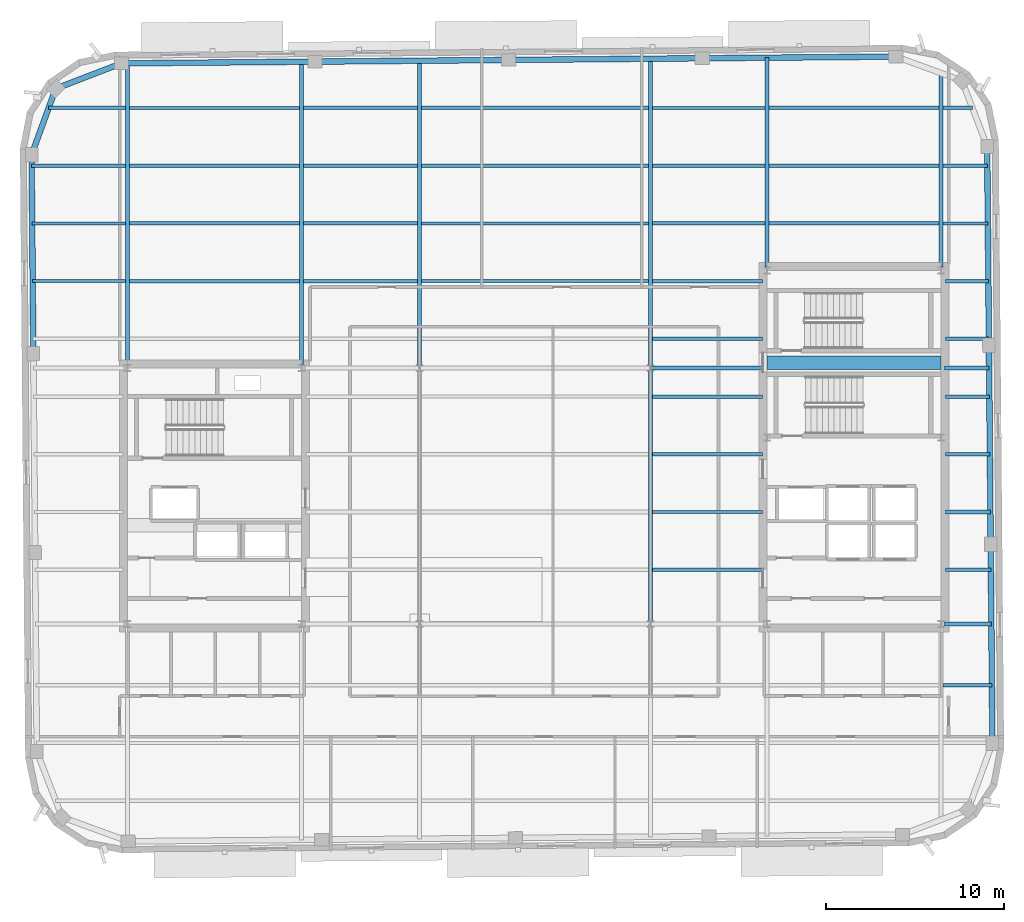
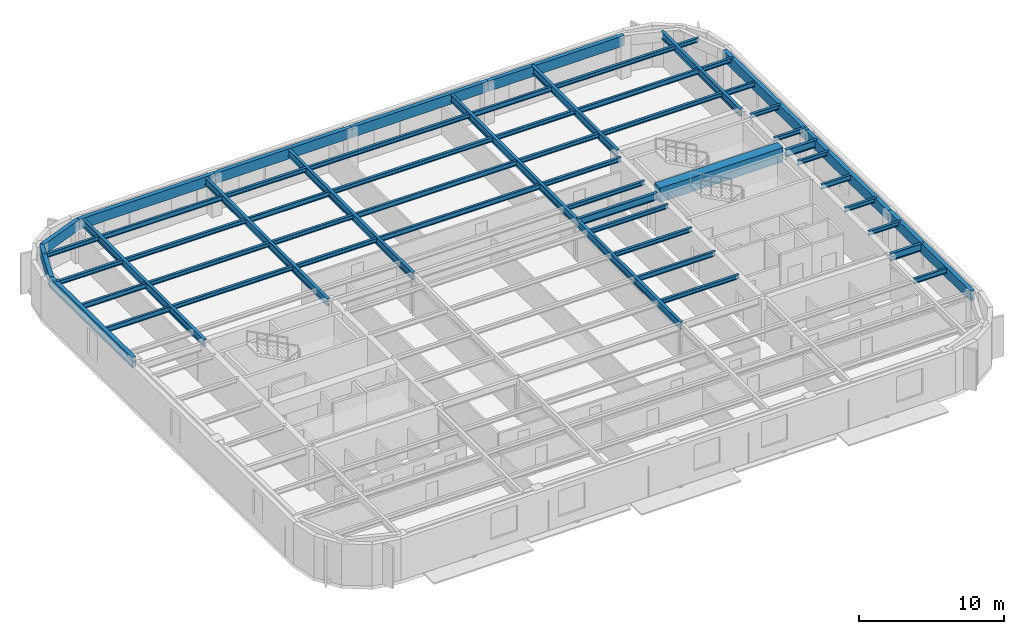
# One storey, part 5 of 15: 59 beams.
"""IFC4 building model written with IfcOpenShell, lengths in metres."""

import ifcopenshell
import ifcopenshell.guid

model = None  # the IFC model being written
_history = None  # IfcOwnerHistory: only IFC2X3 demands one
_inside = {}  # id of a spatial element -> (the spatial element, [elements in it])
_under = {}  # id of a project, library or spatial element -> (it, [spatial elements below it])
_declared = {}  # id of a project -> (the project, [libraries it declares])
_typed = {}  # id of a type object -> (the type object, [elements of that type])
_made_of = {}  # id of a material, layer set ... -> (it, [elements and type objects made of it])


def new_model(schema):
    """Start an empty IFC model of exactly this schema.

    Asked for "IFC4X3", IfcOpenShell would pick the latest addendum, in which some entities
    have other attributes; the version numbers below select the first issue.
    IFC2X3 requires an IfcOwnerHistory on every rooted entity: one is made here for all.
    """
    global model, _history
    if schema == "IFC4X3":
        model = ifcopenshell.file(schema_version=(4, 3, 0, 0))
    else:
        model = ifcopenshell.file(schema=schema)
    _inside.clear()
    _under.clear()
    _declared.clear()
    _typed.clear()
    _made_of.clear()
    _history = None
    if model.schema == "IFC2X3":
        org = make("IfcOrganization", Name="unknown")
        user = make(
            "IfcPersonAndOrganization",
            ThePerson=make("IfcPerson", FamilyName="unknown"),
            TheOrganization=org,
        )
        app = make(
            "IfcApplication",
            ApplicationDeveloper=org,
            Version="unknown",
            ApplicationFullName="unknown",
            ApplicationIdentifier="unknown",
        )
        _history = make(
            "IfcOwnerHistory",
            OwningUser=user,
            OwningApplication=app,
            ChangeAction="ADDED",
            CreationDate=0,
        )
    return model


def make(cls, **values):
    """One entity of the class cls with the attributes given. An attribute that is None is left unset."""
    return model.create_entity(
        cls, **{name: value for name, value in values.items() if value is not None}
    )


def rooted(cls, **values):
    """An entity with a GlobalId (a new one), such as an element, a storey or a relation."""
    return make(cls, GlobalId=ifcopenshell.guid.new(), OwnerHistory=_history, **values)


def si_unit(unit_type, name, prefix=None):
    """IfcSIUnit, for example si_unit("LENGTHUNIT", "METRE", prefix="MILLI")."""
    return make("IfcSIUnit", UnitType=unit_type, Prefix=prefix, Name=name)


def assignment(units):
    """IfcUnitAssignment: the units of a project."""
    return None if units is None else make("IfcUnitAssignment", Units=units)


def point(xyz):
    """IfcCartesianPoint."""
    return None if xyz is None else make("IfcCartesianPoint", Coordinates=xyz)


def direction(xyz):
    """IfcDirection."""
    return None if xyz is None else make("IfcDirection", DirectionRatios=xyz)


def frame(location, z_axis=None, x_axis=None):
    """IfcAxis2Placement3D, a coordinate frame: its origin and axes. An axis left out is left unset."""
    return make(
        "IfcAxis2Placement3D",
        Location=point(location),
        Axis=direction(z_axis),
        RefDirection=direction(x_axis),
    )


def frame_2d(location, x_axis=None):
    """IfcAxis2Placement2D, a coordinate frame in the plane: its origin and x axis."""
    return make(
        "IfcAxis2Placement2D", Location=point(location), RefDirection=direction(x_axis)
    )


def origin():
    """The frame at (0, 0, 0) with its axes left unset."""
    return frame((0.0, 0.0, 0.0))


def origin_2d():
    """The frame at (0, 0) in the plane with its x axis left unset."""
    return frame_2d((0.0, 0.0))


def place(relative_to, where):
    """IfcLocalPlacement: puts the frame where relative to a parent placement (None: the world)."""
    return make(
        "IfcLocalPlacement", PlacementRelTo=relative_to, RelativePlacement=where
    )


def context(
    kind, dimensions, precision=None, world=None, true_north=None, identifier=None
):
    """IfcGeometricRepresentationContext, for example the 3D "Model" context."""
    return make(
        "IfcGeometricRepresentationContext",
        ContextIdentifier=identifier,
        ContextType=kind,
        CoordinateSpaceDimension=dimensions,
        Precision=precision,
        WorldCoordinateSystem=world,
        TrueNorth=true_north,
    )


def subcontext(parent, identifier, kind, view, scale=None):
    """IfcGeometricRepresentationSubContext, for example "Body" below "Model"."""
    return make(
        "IfcGeometricRepresentationSubContext",
        ContextIdentifier=identifier,
        ContextType=kind,
        ParentContext=parent,
        TargetScale=scale,
        TargetView=view,
    )


def project(units=None, contexts=None):
    """IfcProject with its units and contexts."""
    return rooted(
        "IfcProject",
        Name="project",
        RepresentationContexts=contexts,
        UnitsInContext=assignment(units),
    )


def spatial(cls, under=None, at=None, **own):
    """A site, building, storey or space (cls), placed at a placement, below another one or the project."""
    s = rooted(cls, ObjectPlacement=at, **own)
    if under is not None:
        _under.setdefault(under.id(), (under, []))[1].append(s)
    return s


def profile(cls, at=None, kind="AREA", **sizes):
    """A parametric profile (cls). Its sizes go by their IFC names, for example OverallWidth=200.0."""
    return make(cls, ProfileType=kind, Position=at, **sizes)


def rectangle(**sizes):
    """IfcRectangleProfileDef."""
    return profile("IfcRectangleProfileDef", **sizes)


def hollow_rectangle(**sizes):
    """IfcRectangleHollowProfileDef."""
    return profile("IfcRectangleHollowProfileDef", **sizes)


def i_section(**sizes):
    """IfcIShapeProfileDef."""
    return profile("IfcIShapeProfileDef", **sizes)


def extrude(swept, where, along, depth):
    """IfcExtrudedAreaSolid: the profile swept, set in the frame where, extruded along a direction by depth."""
    return make(
        "IfcExtrudedAreaSolid",
        SweptArea=swept,
        Position=where,
        ExtrudedDirection=direction(along),
        Depth=depth,
    )


def shape(context_of_items, identifier, shape_type, items):
    """IfcShapeRepresentation: the items that make up one representation, for example the "Body"."""
    return make(
        "IfcShapeRepresentation",
        ContextOfItems=context_of_items,
        RepresentationIdentifier=identifier,
        RepresentationType=shape_type,
        Items=items,
    )


def material(Name=None, Category=None):
    """IfcMaterial."""
    return make("IfcMaterial", Name=Name, Category=Category)


def material_profile(
    of_material, cross_section, Name=None, Category=None, Priority=None
):
    """IfcMaterialProfile: a cross section and its material."""
    return make(
        "IfcMaterialProfile",
        Name=Name,
        Material=of_material,
        Profile=cross_section,
        Priority=Priority,
        Category=Category,
    )


def profile_set(profiles, Name=None, composite=None):
    """IfcMaterialProfileSet."""
    return make(
        "IfcMaterialProfileSet",
        Name=Name,
        MaterialProfiles=profiles,
        CompositeProfile=composite,
    )


def made_of(thing, what):
    """Note that an element or type object is made of a material, layer set ...; save() writes the relation."""
    if what is not None:
        _made_of.setdefault(what.id(), (what, []))[1].append(thing)
    return thing


def type_object(cls, material=None, **own):
    """A type object (cls), such as IfcWallType, which elements share."""
    return made_of(rooted(cls, **own), material)


def element(
    cls,
    number,
    at=None,
    inside=None,
    cuts=None,
    type_object=None,
    material=None,
    context=None,
    identifier="Body",
    shape_type=None,
    held_by="IfcProductDefinitionShape",
    body=None,
    shapes=None,
    **own,
):
    """One element of the class cls, such as IfcWall. Its Tag is "e" and its number.

    at: its placement. inside: the storey or other place that contains it. cuts: it is an
    opening in that element (IfcRelVoidsElement). A single representation is given by context,
    identifier, shape_type and body (its items); several are given by shapes. held_by: the class
    of the entity that holds the representations. save() writes the other relations.
    """
    e = rooted(cls, Tag="e%d" % number, ObjectPlacement=at, **own)
    if body is not None:
        shapes = [shape(context, identifier, shape_type, body)]
    if shapes is not None:
        e.Representation = make(held_by, Representations=shapes)
    if inside is not None:
        _inside.setdefault(inside.id(), (inside, []))[1].append(e)
    if cuts is not None:
        rooted(
            "IfcRelVoidsElement", RelatingBuildingElement=cuts, RelatedOpeningElement=e
        )
    if type_object is not None:
        _typed.setdefault(type_object.id(), (type_object, []))[1].append(e)
    return made_of(e, material)


def aggregate(whole, parts):
    """IfcRelAggregates: a whole, such as a stair, and the parts it consists of."""
    return rooted("IfcRelAggregates", RelatingObject=whole, RelatedObjects=parts)


def save(model, path):
    """Write the relations noted so far, then the file.

    IfcRelAggregates (storeys below a building ...), IfcRelContainedInSpatialStructure (elements
    in a storey), IfcRelDefinesByType, IfcRelAssociatesMaterial and IfcRelDeclares: one each for
    every whole, place, type object, material and project.
    """
    for whole, parts in _under.values():
        aggregate(whole, parts)
    for where, things in _inside.values():
        rooted(
            "IfcRelContainedInSpatialStructure",
            RelatedElements=things,
            RelatingStructure=where,
        )
    for kind, things in _typed.values():
        rooted("IfcRelDefinesByType", RelatedObjects=things, RelatingType=kind)
    for what, things in _made_of.values():
        rooted("IfcRelAssociatesMaterial", RelatedObjects=things, RelatingMaterial=what)
    for by, libraries in _declared.values():
        rooted("IfcRelDeclares", RelatingContext=by, RelatedDefinitions=libraries)
    model.write(path)


model = new_model("IFC4")

# Units and contexts
model_context = context("Model", 3, precision=1e-05, world=origin(), true_north=direction((0.0, 1.0)))
body_context = subcontext(model_context, "Body", "Model", "MODEL_VIEW")
ifc_project = project(units=[si_unit("LENGTHUNIT", "METRE"), si_unit("AREAUNIT", "SQUARE_METRE"), si_unit("VOLUMEUNIT", "CUBIC_METRE"), si_unit("PLANEANGLEUNIT", "RADIAN"), si_unit("MASSUNIT", "GRAM", prefix="KILO")], contexts=[model_context])

# Site, building, storey
site_placement = place(None, origin())
site = spatial("IfcSite", under=ifc_project, at=site_placement, CompositionType="ELEMENT")
building_placement = place(site_placement, origin())
building = spatial("IfcBuilding", under=site, at=building_placement, Name="Kolvaren Arena Tower", CompositionType="ELEMENT")
storey_placement = place(building_placement, frame((0.0, 0.0, 293.64990234375)))
storey = spatial("IfcBuildingStorey", under=building, at=storey_placement, Name="L72", CompositionType="ELEMENT", Elevation=293.64990234375)

# Beams
ifc_material_1 = material(Name="Steel CSA G40.21 350W", Category="steel")
ifc_material_profile_1 = material_profile(ifc_material_1, i_section(OverallWidth=0.180908203125, OverallDepth=0.4169921875, WebThickness=0.010986328125, FlangeThickness=0.018310546875, FilletRadius=0.011962890625, at=origin_2d()), Name="W410x85")
ifc_profile_set_1 = profile_set([ifc_material_profile_1], Name="Steel CSA G40.21 350W")
beam_type_1 = type_object("IfcBeamType", Name="BEAM-F3", PredefinedType="BEAM", material=ifc_profile_set_1)
beam_1_placement = place(storey_placement, frame((60.464111328125, 16.0, 3.271484375), z_axis=(1.0, 0.0, 0.0), x_axis=(0.0, 1.0, 0.0)))
element("IfcBeam", 1, at=beam_1_placement, inside=storey, type_object=beam_type_1, Name="Composite Floor Beam (L72)", PredefinedType="BEAM", context=body_context, shape_type="SweptSolid", body=[
    extrude(i_section(OverallWidth=0.180908203125, OverallDepth=0.4169921875, WebThickness=0.010986328125, FlangeThickness=0.018310546875, FilletRadius=0.011962890625, at=origin_2d()), origin(), (0.0, 0.0, 1.0), 2.7529296875),
])
beam_2_placement = place(storey_placement, frame((44.114013671875, 25.75, 3.271484375), z_axis=(1.0, 0.0, 0.0), x_axis=(0.0, 1.0, 0.0)))
element("IfcBeam", 2, at=beam_2_placement, inside=storey, type_object=beam_type_1, Name="Composite Floor Beam (L72)", PredefinedType="BEAM", context=body_context, shape_type="SweptSolid", body=[
    extrude(i_section(OverallWidth=0.180908203125, OverallDepth=0.4169921875, WebThickness=0.010986328125, FlangeThickness=0.018310546875, FilletRadius=0.011962890625, at=origin_2d()), origin(), (0.0, 0.0, 1.0), 6.19091796875),
])
beam_3_placement = place(storey_placement, frame((60.594970703125, 29.0, 3.271484375), z_axis=(1.0, 0.0, 0.0), x_axis=(0.0, 1.0, 0.0)))
element("IfcBeam", 3, at=beam_3_placement, inside=storey, type_object=beam_type_1, Name="Composite Floor Beam (L72)", PredefinedType="BEAM", context=body_context, shape_type="SweptSolid", body=[
    extrude(i_section(OverallWidth=0.180908203125, OverallDepth=0.4169921875, WebThickness=0.010986328125, FlangeThickness=0.018310546875, FilletRadius=0.011962890625, at=origin_2d()), origin(), (0.0, 0.0, 1.0), 2.508544921875),
])
beam_4_placement = place(storey_placement, frame((9.216552734375, 38.75, 3.271484375), z_axis=(1.0, 0.0, 0.0), x_axis=(0.0, 1.0, 0.0)))
element("IfcBeam", 4, at=beam_4_placement, inside=storey, type_object=beam_type_1, Name="Composite Floor Beam (L72)", PredefinedType="BEAM", context=body_context, shape_type="SweptSolid", body=[
    extrude(i_section(OverallWidth=0.180908203125, OverallDepth=0.4169921875, WebThickness=0.010986328125, FlangeThickness=0.018310546875, FilletRadius=0.011962890625, at=origin_2d()), origin(), (0.0, 0.0, 1.0), 5.219482421875),
])
beam_5_placement = place(storey_placement, frame((31.114013671875, 38.75, 3.271484375), z_axis=(1.0, 0.0, 0.0), x_axis=(0.0, 1.0, 0.0)))
element("IfcBeam", 5, at=beam_5_placement, inside=storey, type_object=beam_type_1, Name="Composite Floor Beam (L72)", PredefinedType="BEAM", context=body_context, shape_type="SweptSolid", body=[
    extrude(i_section(OverallWidth=0.180908203125, OverallDepth=0.4169921875, WebThickness=0.010986328125, FlangeThickness=0.018310546875, FilletRadius=0.011962890625, at=origin_2d()), origin(), (0.0, 0.0, 1.0), 12.77197265625),
])
beam_6_placement = place(storey_placement, frame((9.18798828125, 42.0, 3.271484375), z_axis=(1.0, 0.0, 0.0), x_axis=(0.0, 1.0, 0.0)))
element("IfcBeam", 6, at=beam_6_placement, inside=storey, type_object=beam_type_1, Name="Composite Floor Beam (L72)", PredefinedType="BEAM", context=body_context, shape_type="SweptSolid", body=[
    extrude(i_section(OverallWidth=0.180908203125, OverallDepth=0.4169921875, WebThickness=0.010986328125, FlangeThickness=0.018310546875, FilletRadius=0.011962890625, at=origin_2d()), origin(), (0.0, 0.0, 1.0), 5.248046875),
])
beam_7_placement = place(storey_placement, frame((31.114013671875, 42.0, 3.271484375), z_axis=(1.0, 0.0, 0.0), x_axis=(0.0, 1.0, 0.0)))
element("IfcBeam", 7, at=beam_7_placement, inside=storey, type_object=beam_type_1, Name="Composite Floor Beam (L72)", PredefinedType="BEAM", context=body_context, shape_type="SweptSolid", body=[
    extrude(i_section(OverallWidth=0.180908203125, OverallDepth=0.4169921875, WebThickness=0.010986328125, FlangeThickness=0.018310546875, FilletRadius=0.011962890625, at=origin_2d()), origin(), (0.0, 0.0, 1.0), 12.77197265625),
])
beam_8_placement = place(storey_placement, frame((60.464111328125, 42.0, 3.271484375), z_axis=(1.0, 0.0, 0.0), x_axis=(0.0, 1.0, 0.0)))
element("IfcBeam", 8, at=beam_8_placement, inside=storey, type_object=beam_type_1, Name="Composite Floor Beam (L72)", PredefinedType="BEAM", context=body_context, shape_type="SweptSolid", body=[
    extrude(i_section(OverallWidth=0.180908203125, OverallDepth=0.4169921875, WebThickness=0.010986328125, FlangeThickness=0.018310546875, FilletRadius=0.011962890625, at=origin_2d()), origin(), (0.0, 0.0, 1.0), 2.526123046875),
])
beam_9_placement = place(storey_placement, frame((24.464111328125, 45.25, 3.271484375), z_axis=(1.0, 0.0, 0.0), x_axis=(0.0, 1.0, 0.0)))
element("IfcBeam", 9, at=beam_9_placement, inside=storey, type_object=beam_type_1, Name="Composite Floor Beam (L72)", PredefinedType="BEAM", context=body_context, shape_type="SweptSolid", body=[
    extrude(i_section(OverallWidth=0.180908203125, OverallDepth=0.4169921875, WebThickness=0.010986328125, FlangeThickness=0.018310546875, FilletRadius=0.011962890625, at=origin_2d()), origin(), (0.0, 0.0, 1.0), 6.421875),
])
for number, where, z_axis, x_axis, name in (
    (10, (50.6640625, 45.25, 3.271484375), (1.0, 0.0, 0.0), (0.0, 1.0, 0.0), "Composite Floor Beam (L72)"),
    (11, (14.6640625, 48.5, 3.271484375), (1.0, 0.0, 0.0), (0.0, 1.0, 0.0), "Composite Floor Beam (L72)"),
):
    element("IfcBeam", number, at=place(storey_placement, frame(where, z_axis=z_axis, x_axis=x_axis)), inside=storey, type_object=beam_type_1, Name=name, PredefinedType="BEAM", context=body_context, shape_type="SweptSolid", body=[
        extrude(i_section(OverallWidth=0.180908203125, OverallDepth=0.4169921875, WebThickness=0.010986328125, FlangeThickness=0.018310546875, FilletRadius=0.011962890625, at=origin_2d()), origin(), (0.0, 0.0, 1.0), 9.572021484375),
    ])
beam_10_placement = place(storey_placement, frame((44.114013671875, 48.5, 3.271484375), z_axis=(1.0, 0.0, 0.0), x_axis=(0.0, 1.0, 0.0)))
element("IfcBeam", 12, at=beam_10_placement, inside=storey, type_object=beam_type_1, Name="Composite Floor Beam (L72)", PredefinedType="BEAM", context=body_context, shape_type="SweptSolid", body=[
    extrude(i_section(OverallWidth=0.180908203125, OverallDepth=0.4169921875, WebThickness=0.010986328125, FlangeThickness=0.018310546875, FilletRadius=0.011962890625, at=origin_2d()), origin(), (0.0, 0.0, 1.0), 6.322021484375),
])
ifc_material_2 = material(Name="Concrete 60 MPa", Category="concrete")
ifc_material_profile_2 = material_profile(ifc_material_2, rectangle(XDim=0.75, YDim=1.199951171875, at=origin_2d()), Name="RC-750x1200")
ifc_profile_set_2 = profile_set([ifc_material_profile_2], Name="Concrete 60 MPa")
beam_type_2 = type_object("IfcBeamType", Name="CB-CORE-2", PredefinedType="BEAM", material=ifc_profile_set_2)
beam_11_placement = place(storey_placement, frame((50.550048828125, 34.14990234375, 3.150146484375), z_axis=(1.0, 0.0, 0.0), x_axis=(0.0, 1.0, 0.0)))
element("IfcBeam", 13, at=beam_11_placement, inside=storey, type_object=beam_type_2, Name="East Core Coupling Beam (L72)", PredefinedType="BEAM", context=body_context, shape_type="SweptSolid", body=[
    extrude(rectangle(XDim=0.75, YDim=1.199951171875, at=origin_2d()), origin(), (0.0, 0.0, 1.0), 9.800048828125),
])
ifc_material_profile_3 = material_profile(ifc_material_1, i_section(OverallWidth=0.22802734375, OverallDepth=0.615966796875, WebThickness=0.013916015625, FlangeThickness=0.02490234375, FilletRadius=0.014892578125, at=origin_2d()), Name="W610x174")
ifc_profile_set_3 = profile_set([ifc_material_profile_3], Name="Steel CSA G40.21 350W")
beam_type_3 = type_object("IfcBeamType", Name="GIRD-T3", PredefinedType="BEAM", material=ifc_profile_set_3)
beam_12_placement = place(storey_placement, frame((60.554931640625, 19.449951171875, 3.172119140625), z_axis=(1.0, 0.0, 0.0), x_axis=(0.0, 1.0, 0.0)))
element("IfcBeam", 14, at=beam_12_placement, inside=storey, type_object=beam_type_3, Name="Primary Floor Girder (L72)", PredefinedType="BEAM", context=body_context, shape_type="SweptSolid", body=[
    extrude(i_section(OverallWidth=0.22802734375, OverallDepth=0.615966796875, WebThickness=0.013916015625, FlangeThickness=0.02490234375, FilletRadius=0.014892578125, at=origin_2d()), origin(), (0.0, 0.0, 1.0), 2.632080078125),
])
beam_13_placement = place(storey_placement, frame((44.0, 33.85009765625, 3.172119140625), z_axis=(1.0, 0.0, 0.0), x_axis=(0.0, 1.0, 0.0)))
element("IfcBeam", 15, at=beam_13_placement, inside=storey, type_object=beam_type_3, Name="Primary Floor Girder (L72)", PredefinedType="BEAM", context=body_context, shape_type="SweptSolid", body=[
    extrude(i_section(OverallWidth=0.22802734375, OverallDepth=0.615966796875, WebThickness=0.013916015625, FlangeThickness=0.02490234375, FilletRadius=0.014892578125, at=origin_2d()), origin(), (0.0, 0.0, 1.0), 6.344970703125),
])
beam_14_placement = place(storey_placement, frame((60.554931640625, 33.85009765625, 3.172119140625), z_axis=(1.0, 0.0, 0.0), x_axis=(0.0, 1.0, 0.0)))
element("IfcBeam", 16, at=beam_14_placement, inside=storey, type_object=beam_type_3, Name="Primary Floor Girder (L72)", PredefinedType="BEAM", context=body_context, shape_type="SweptSolid", body=[
    extrude(i_section(OverallWidth=0.22802734375, OverallDepth=0.615966796875, WebThickness=0.013916015625, FlangeThickness=0.02490234375, FilletRadius=0.014892578125, at=origin_2d()), origin(), (0.0, 0.0, 1.0), 2.50634765625),
])
beam_15_placement = place(storey_placement, frame((14.550048828125, 34.054931640625, 3.172119140625), z_axis=(0.0, 1.0, 0.0), x_axis=(-1.0, 0.0, 0.0)))
element("IfcBeam", 17, at=beam_15_placement, inside=storey, type_object=beam_type_3, Name="Primary Floor Girder (L72)", PredefinedType="BEAM", context=body_context, shape_type="SweptSolid", body=[
    extrude(i_section(OverallWidth=0.22802734375, OverallDepth=0.615966796875, WebThickness=0.013916015625, FlangeThickness=0.02490234375, FilletRadius=0.014892578125, at=origin_2d()), origin(), (0.0, 0.0, 1.0), 16.95703125),
])
beam_16_placement = place(storey_placement, frame((24.35009765625, 34.054931640625, 3.172119140625), z_axis=(0.0, 1.0, 0.0), x_axis=(-1.0, 0.0, 0.0)))
element("IfcBeam", 18, at=beam_16_placement, inside=storey, type_object=beam_type_3, Name="Primary Floor Girder (L72)", PredefinedType="BEAM", context=body_context, shape_type="SweptSolid", body=[
    extrude(i_section(OverallWidth=0.22802734375, OverallDepth=0.615966796875, WebThickness=0.013916015625, FlangeThickness=0.02490234375, FilletRadius=0.014892578125, at=origin_2d()), origin(), (0.0, 0.0, 1.0), 17.04248046875),
])
beam_17_placement = place(storey_placement, frame((31.0, 33.85009765625, 3.172119140625), z_axis=(0.0, 1.0, 0.0), x_axis=(-1.0, 0.0, 0.0)))
element("IfcBeam", 19, at=beam_17_placement, inside=storey, type_object=beam_type_3, Name="Primary Floor Girder (L72)", PredefinedType="BEAM", context=body_context, shape_type="SweptSolid", body=[
    extrude(i_section(OverallWidth=0.22802734375, OverallDepth=0.615966796875, WebThickness=0.013916015625, FlangeThickness=0.02490234375, FilletRadius=0.014892578125, at=origin_2d()), origin(), (0.0, 0.0, 1.0), 17.305419921875),
])
beam_18_placement = place(storey_placement, frame((44.0, 19.449951171875, 3.172119140625), z_axis=(0.0, 1.0, 0.0), x_axis=(-1.0, 0.0, 0.0)))
element("IfcBeam", 20, at=beam_18_placement, inside=storey, type_object=beam_type_3, Name="Primary Floor Girder (L72)", PredefinedType="BEAM", context=body_context, shape_type="SweptSolid", body=[
    extrude(i_section(OverallWidth=0.22802734375, OverallDepth=0.615966796875, WebThickness=0.013916015625, FlangeThickness=0.02490234375, FilletRadius=0.014892578125, at=origin_2d()), origin(), (0.0, 0.0, 1.0), 14.400146484375),
])
beam_19_placement = place(storey_placement, frame((44.0, 33.85009765625, 3.172119140625), z_axis=(0.0, 1.0, 0.0), x_axis=(-1.0, 0.0, 0.0)))
element("IfcBeam", 21, at=beam_19_placement, inside=storey, type_object=beam_type_3, Name="Primary Floor Girder (L72)", PredefinedType="BEAM", context=body_context, shape_type="SweptSolid", body=[
    extrude(i_section(OverallWidth=0.22802734375, OverallDepth=0.615966796875, WebThickness=0.013916015625, FlangeThickness=0.02490234375, FilletRadius=0.014892578125, at=origin_2d()), origin(), (0.0, 0.0, 1.0), 17.418701171875),
])
beam_20_placement = place(storey_placement, frame((50.550048828125, 39.554931640625, 3.172119140625), z_axis=(0.0, 1.0, 0.0), x_axis=(-1.0, 0.0, 0.0)))
element("IfcBeam", 22, at=beam_20_placement, inside=storey, type_object=beam_type_3, Name="Primary Floor Girder (L72)", PredefinedType="BEAM", context=body_context, shape_type="SweptSolid", body=[
    extrude(i_section(OverallWidth=0.22802734375, OverallDepth=0.615966796875, WebThickness=0.013916015625, FlangeThickness=0.02490234375, FilletRadius=0.014892578125, at=origin_2d()), origin(), (0.0, 0.0, 1.0), 11.771240234375),
])
beam_21_placement = place(storey_placement, frame((60.35009765625, 39.554931640625, 3.172119140625), z_axis=(0.0, 1.0, 0.0), x_axis=(-1.0, 0.0, 0.0)))
element("IfcBeam", 23, at=beam_21_placement, inside=storey, type_object=beam_type_3, Name="Primary Floor Girder (L72)", PredefinedType="BEAM", context=body_context, shape_type="SweptSolid", body=[
    extrude(i_section(OverallWidth=0.22802734375, OverallDepth=0.615966796875, WebThickness=0.013916015625, FlangeThickness=0.02490234375, FilletRadius=0.014892578125, at=origin_2d()), origin(), (0.0, 0.0, 1.0), 10.90625),
])
ifc_material_profile_4 = material_profile(ifc_material_1, i_section(OverallWidth=0.202880859375, OverallDepth=0.346923828125, WebThickness=0.0078125, FlangeThickness=0.013427734375, FilletRadius=0.010986328125, at=origin_2d()), Name="W360x64")
ifc_profile_set_4 = profile_set([ifc_material_profile_4], Name="Steel CSA G40.21 350W")
beam_type_4 = type_object("IfcBeamType", Name="JOIST-01", PredefinedType="JOIST", material=ifc_profile_set_4)
beam_22_placement = place(storey_placement, frame((44.114013671875, 22.5, 3.306640625), z_axis=(1.0, 0.0, 0.0), x_axis=(0.0, 1.0, 0.0)))
element("IfcBeam", 24, at=beam_22_placement, inside=storey, type_object=beam_type_4, Name="Composite Floor Joist (L72)", PredefinedType="JOIST", context=body_context, shape_type="SweptSolid", body=[
    extrude(i_section(OverallWidth=0.202880859375, OverallDepth=0.346923828125, WebThickness=0.0078125, FlangeThickness=0.013427734375, FilletRadius=0.010986328125, at=origin_2d()), origin(), (0.0, 0.0, 1.0), 6.19091796875),
])
beam_23_placement = place(storey_placement, frame((60.594970703125, 22.5, 3.306640625), z_axis=(1.0, 0.0, 0.0), x_axis=(0.0, 1.0, 0.0)))
element("IfcBeam", 25, at=beam_23_placement, inside=storey, type_object=beam_type_4, Name="Composite Floor Joist (L72)", PredefinedType="JOIST", context=body_context, shape_type="SweptSolid", body=[
    extrude(i_section(OverallWidth=0.202880859375, OverallDepth=0.346923828125, WebThickness=0.0078125, FlangeThickness=0.013427734375, FilletRadius=0.010986328125, at=origin_2d()), origin(), (0.0, 0.0, 1.0), 2.5654296875),
])
beam_24_placement = place(storey_placement, frame((60.594970703125, 25.75, 3.306640625), z_axis=(1.0, 0.0, 0.0), x_axis=(0.0, 1.0, 0.0)))
element("IfcBeam", 26, at=beam_24_placement, inside=storey, type_object=beam_type_4, Name="Composite Floor Joist (L72)", PredefinedType="JOIST", context=body_context, shape_type="SweptSolid", body=[
    extrude(i_section(OverallWidth=0.202880859375, OverallDepth=0.346923828125, WebThickness=0.0078125, FlangeThickness=0.013427734375, FilletRadius=0.010986328125, at=origin_2d()), origin(), (0.0, 0.0, 1.0), 2.537109375),
])
for number, where, z_axis, x_axis, name in (
    (27, (44.114013671875, 29.0, 3.306640625), (1.0, 0.0, 0.0), (0.0, 1.0, 0.0), "Composite Floor Joist (L72)"),
    (28, (44.114013671875, 32.25, 3.306640625), (1.0, 0.0, 0.0), (0.0, 1.0, 0.0), "Composite Floor Joist (L72)"),
):
    element("IfcBeam", number, at=place(storey_placement, frame(where, z_axis=z_axis, x_axis=x_axis)), inside=storey, type_object=beam_type_4, Name=name, PredefinedType="JOIST", context=body_context, shape_type="SweptSolid", body=[
        extrude(i_section(OverallWidth=0.202880859375, OverallDepth=0.346923828125, WebThickness=0.0078125, FlangeThickness=0.013427734375, FilletRadius=0.010986328125, at=origin_2d()), origin(), (0.0, 0.0, 1.0), 6.19091796875),
    ])
beam_25_placement = place(storey_placement, frame((60.594970703125, 32.25, 3.306640625), z_axis=(1.0, 0.0, 0.0), x_axis=(0.0, 1.0, 0.0)))
element("IfcBeam", 29, at=beam_25_placement, inside=storey, type_object=beam_type_4, Name="Composite Floor Joist (L72)", PredefinedType="JOIST", context=body_context, shape_type="SweptSolid", body=[
    extrude(i_section(OverallWidth=0.202880859375, OverallDepth=0.346923828125, WebThickness=0.0078125, FlangeThickness=0.013427734375, FilletRadius=0.010986328125, at=origin_2d()), origin(), (0.0, 0.0, 1.0), 2.480224609375),
])
beam_26_placement = place(storey_placement, frame((44.114013671875, 35.5, 3.306640625), z_axis=(1.0, 0.0, 0.0), x_axis=(0.0, 1.0, 0.0)))
element("IfcBeam", 30, at=beam_26_placement, inside=storey, type_object=beam_type_4, Name="Composite Floor Joist (L72)", PredefinedType="JOIST", context=body_context, shape_type="SweptSolid", body=[
    extrude(i_section(OverallWidth=0.202880859375, OverallDepth=0.346923828125, WebThickness=0.0078125, FlangeThickness=0.013427734375, FilletRadius=0.010986328125, at=origin_2d()), origin(), (0.0, 0.0, 1.0), 6.19091796875),
])
beam_27_placement = place(storey_placement, frame((60.594970703125, 35.5, 3.306640625), z_axis=(1.0, 0.0, 0.0), x_axis=(0.0, 1.0, 0.0)))
element("IfcBeam", 31, at=beam_27_placement, inside=storey, type_object=beam_type_4, Name="Composite Floor Joist (L72)", PredefinedType="JOIST", context=body_context, shape_type="SweptSolid", body=[
    extrude(i_section(OverallWidth=0.202880859375, OverallDepth=0.346923828125, WebThickness=0.0078125, FlangeThickness=0.013427734375, FilletRadius=0.010986328125, at=origin_2d()), origin(), (0.0, 0.0, 1.0), 2.451904296875),
])
beam_28_placement = place(storey_placement, frame((14.6640625, 38.75, 3.306640625), z_axis=(1.0, 0.0, 0.0), x_axis=(0.0, 1.0, 0.0)))
element("IfcBeam", 32, at=beam_28_placement, inside=storey, type_object=beam_type_4, Name="Composite Floor Joist (L72)", PredefinedType="JOIST", context=body_context, shape_type="SweptSolid", body=[
    extrude(i_section(OverallWidth=0.202880859375, OverallDepth=0.346923828125, WebThickness=0.0078125, FlangeThickness=0.013427734375, FilletRadius=0.010986328125, at=origin_2d()), origin(), (0.0, 0.0, 1.0), 9.572021484375),
])
beam_29_placement = place(storey_placement, frame((24.464111328125, 38.75, 3.306640625), z_axis=(1.0, 0.0, 0.0), x_axis=(0.0, 1.0, 0.0)))
element("IfcBeam", 33, at=beam_29_placement, inside=storey, type_object=beam_type_4, Name="Composite Floor Joist (L72)", PredefinedType="JOIST", context=body_context, shape_type="SweptSolid", body=[
    extrude(i_section(OverallWidth=0.202880859375, OverallDepth=0.346923828125, WebThickness=0.0078125, FlangeThickness=0.013427734375, FilletRadius=0.010986328125, at=origin_2d()), origin(), (0.0, 0.0, 1.0), 6.421875),
])
beam_30_placement = place(storey_placement, frame((44.114013671875, 38.75, 3.306640625), z_axis=(1.0, 0.0, 0.0), x_axis=(0.0, 1.0, 0.0)))
element("IfcBeam", 34, at=beam_30_placement, inside=storey, type_object=beam_type_4, Name="Composite Floor Joist (L72)", PredefinedType="JOIST", context=body_context, shape_type="SweptSolid", body=[
    extrude(i_section(OverallWidth=0.202880859375, OverallDepth=0.346923828125, WebThickness=0.0078125, FlangeThickness=0.013427734375, FilletRadius=0.010986328125, at=origin_2d()), origin(), (0.0, 0.0, 1.0), 6.19091796875),
])
beam_31_placement = place(storey_placement, frame((60.594970703125, 38.75, 3.306640625), z_axis=(1.0, 0.0, 0.0), x_axis=(0.0, 1.0, 0.0)))
element("IfcBeam", 35, at=beam_31_placement, inside=storey, type_object=beam_type_4, Name="Composite Floor Joist (L72)", PredefinedType="JOIST", context=body_context, shape_type="SweptSolid", body=[
    extrude(i_section(OverallWidth=0.202880859375, OverallDepth=0.346923828125, WebThickness=0.0078125, FlangeThickness=0.013427734375, FilletRadius=0.010986328125, at=origin_2d()), origin(), (0.0, 0.0, 1.0), 2.423583984375),
])
beam_32_placement = place(storey_placement, frame((14.6640625, 42.0, 3.306640625), z_axis=(1.0, 0.0, 0.0), x_axis=(0.0, 1.0, 0.0)))
element("IfcBeam", 36, at=beam_32_placement, inside=storey, type_object=beam_type_4, Name="Composite Floor Joist (L72)", PredefinedType="JOIST", context=body_context, shape_type="SweptSolid", body=[
    extrude(i_section(OverallWidth=0.202880859375, OverallDepth=0.346923828125, WebThickness=0.0078125, FlangeThickness=0.013427734375, FilletRadius=0.010986328125, at=origin_2d()), origin(), (0.0, 0.0, 1.0), 9.572021484375),
])
beam_33_placement = place(storey_placement, frame((24.464111328125, 42.0, 3.306640625), z_axis=(1.0, 0.0, 0.0), x_axis=(0.0, 1.0, 0.0)))
element("IfcBeam", 37, at=beam_33_placement, inside=storey, type_object=beam_type_4, Name="Composite Floor Joist (L72)", PredefinedType="JOIST", context=body_context, shape_type="SweptSolid", body=[
    extrude(i_section(OverallWidth=0.202880859375, OverallDepth=0.346923828125, WebThickness=0.0078125, FlangeThickness=0.013427734375, FilletRadius=0.010986328125, at=origin_2d()), origin(), (0.0, 0.0, 1.0), 6.421875),
])
beam_34_placement = place(storey_placement, frame((44.114013671875, 42.0, 3.306640625), z_axis=(1.0, 0.0, 0.0), x_axis=(0.0, 1.0, 0.0)))
element("IfcBeam", 38, at=beam_34_placement, inside=storey, type_object=beam_type_4, Name="Composite Floor Joist (L72)", PredefinedType="JOIST", context=body_context, shape_type="SweptSolid", body=[
    extrude(i_section(OverallWidth=0.202880859375, OverallDepth=0.346923828125, WebThickness=0.0078125, FlangeThickness=0.013427734375, FilletRadius=0.010986328125, at=origin_2d()), origin(), (0.0, 0.0, 1.0), 6.322021484375),
])
beam_35_placement = place(storey_placement, frame((50.6640625, 42.0, 3.306640625), z_axis=(1.0, 0.0, 0.0), x_axis=(0.0, 1.0, 0.0)))
element("IfcBeam", 39, at=beam_35_placement, inside=storey, type_object=beam_type_4, Name="Composite Floor Joist (L72)", PredefinedType="JOIST", context=body_context, shape_type="SweptSolid", body=[
    extrude(i_section(OverallWidth=0.202880859375, OverallDepth=0.346923828125, WebThickness=0.0078125, FlangeThickness=0.013427734375, FilletRadius=0.010986328125, at=origin_2d()), origin(), (0.0, 0.0, 1.0), 9.572021484375),
])
beam_36_placement = place(storey_placement, frame((9.159912109375, 45.25, 3.306640625), z_axis=(1.0, 0.0, 0.0), x_axis=(0.0, 1.0, 0.0)))
element("IfcBeam", 40, at=beam_36_placement, inside=storey, type_object=beam_type_4, Name="Composite Floor Joist (L72)", PredefinedType="JOIST", context=body_context, shape_type="SweptSolid", body=[
    extrude(i_section(OverallWidth=0.202880859375, OverallDepth=0.346923828125, WebThickness=0.0078125, FlangeThickness=0.013427734375, FilletRadius=0.010986328125, at=origin_2d()), origin(), (0.0, 0.0, 1.0), 5.276123046875),
])
beam_37_placement = place(storey_placement, frame((14.6640625, 45.25, 3.306640625), z_axis=(1.0, 0.0, 0.0), x_axis=(0.0, 1.0, 0.0)))
element("IfcBeam", 41, at=beam_37_placement, inside=storey, type_object=beam_type_4, Name="Composite Floor Joist (L72)", PredefinedType="JOIST", context=body_context, shape_type="SweptSolid", body=[
    extrude(i_section(OverallWidth=0.202880859375, OverallDepth=0.346923828125, WebThickness=0.0078125, FlangeThickness=0.013427734375, FilletRadius=0.010986328125, at=origin_2d()), origin(), (0.0, 0.0, 1.0), 9.572021484375),
])
beam_38_placement = place(storey_placement, frame((31.114013671875, 45.25, 3.306640625), z_axis=(1.0, 0.0, 0.0), x_axis=(0.0, 1.0, 0.0)))
element("IfcBeam", 42, at=beam_38_placement, inside=storey, type_object=beam_type_4, Name="Composite Floor Joist (L72)", PredefinedType="JOIST", context=body_context, shape_type="SweptSolid", body=[
    extrude(i_section(OverallWidth=0.202880859375, OverallDepth=0.346923828125, WebThickness=0.0078125, FlangeThickness=0.013427734375, FilletRadius=0.010986328125, at=origin_2d()), origin(), (0.0, 0.0, 1.0), 12.77197265625),
])
beam_39_placement = place(storey_placement, frame((44.114013671875, 45.25, 3.306640625), z_axis=(1.0, 0.0, 0.0), x_axis=(0.0, 1.0, 0.0)))
element("IfcBeam", 43, at=beam_39_placement, inside=storey, type_object=beam_type_4, Name="Composite Floor Joist (L72)", PredefinedType="JOIST", context=body_context, shape_type="SweptSolid", body=[
    extrude(i_section(OverallWidth=0.202880859375, OverallDepth=0.346923828125, WebThickness=0.0078125, FlangeThickness=0.013427734375, FilletRadius=0.010986328125, at=origin_2d()), origin(), (0.0, 0.0, 1.0), 6.322021484375),
])
beam_40_placement = place(storey_placement, frame((60.464111328125, 45.25, 3.306640625), z_axis=(1.0, 0.0, 0.0), x_axis=(0.0, 1.0, 0.0)))
element("IfcBeam", 44, at=beam_40_placement, inside=storey, type_object=beam_type_4, Name="Composite Floor Joist (L72)", PredefinedType="JOIST", context=body_context, shape_type="SweptSolid", body=[
    extrude(i_section(OverallWidth=0.202880859375, OverallDepth=0.346923828125, WebThickness=0.0078125, FlangeThickness=0.013427734375, FilletRadius=0.010986328125, at=origin_2d()), origin(), (0.0, 0.0, 1.0), 2.497802734375),
])
beam_41_placement = place(storey_placement, frame((10.11669921875, 48.5, 3.306640625), z_axis=(1.0, 0.0, 0.0), x_axis=(0.0, 1.0, 0.0)))
element("IfcBeam", 45, at=beam_41_placement, inside=storey, type_object=beam_type_4, Name="Composite Floor Joist (L72)", PredefinedType="JOIST", context=body_context, shape_type="SweptSolid", body=[
    extrude(i_section(OverallWidth=0.202880859375, OverallDepth=0.346923828125, WebThickness=0.0078125, FlangeThickness=0.013427734375, FilletRadius=0.010986328125, at=origin_2d()), origin(), (0.0, 0.0, 1.0), 4.3193359375),
])
beam_42_placement = place(storey_placement, frame((24.464111328125, 48.5, 3.306640625), z_axis=(1.0, 0.0, 0.0), x_axis=(0.0, 1.0, 0.0)))
element("IfcBeam", 46, at=beam_42_placement, inside=storey, type_object=beam_type_4, Name="Composite Floor Joist (L72)", PredefinedType="JOIST", context=body_context, shape_type="SweptSolid", body=[
    extrude(i_section(OverallWidth=0.202880859375, OverallDepth=0.346923828125, WebThickness=0.0078125, FlangeThickness=0.013427734375, FilletRadius=0.010986328125, at=origin_2d()), origin(), (0.0, 0.0, 1.0), 6.421875),
])
beam_43_placement = place(storey_placement, frame((31.114013671875, 48.5, 3.306640625), z_axis=(1.0, 0.0, 0.0), x_axis=(0.0, 1.0, 0.0)))
element("IfcBeam", 47, at=beam_43_placement, inside=storey, type_object=beam_type_4, Name="Composite Floor Joist (L72)", PredefinedType="JOIST", context=body_context, shape_type="SweptSolid", body=[
    extrude(i_section(OverallWidth=0.202880859375, OverallDepth=0.346923828125, WebThickness=0.0078125, FlangeThickness=0.013427734375, FilletRadius=0.010986328125, at=origin_2d()), origin(), (0.0, 0.0, 1.0), 12.77197265625),
])
beam_44_placement = place(storey_placement, frame((50.6640625, 48.5, 3.306640625), z_axis=(1.0, 0.0, 0.0), x_axis=(0.0, 1.0, 0.0)))
element("IfcBeam", 48, at=beam_44_placement, inside=storey, type_object=beam_type_4, Name="Composite Floor Joist (L72)", PredefinedType="JOIST", context=body_context, shape_type="SweptSolid", body=[
    extrude(i_section(OverallWidth=0.202880859375, OverallDepth=0.346923828125, WebThickness=0.0078125, FlangeThickness=0.013427734375, FilletRadius=0.010986328125, at=origin_2d()), origin(), (0.0, 0.0, 1.0), 9.572021484375),
])
beam_45_placement = place(storey_placement, frame((60.464111328125, 48.5, 3.306640625), z_axis=(1.0, 0.0, 0.0), x_axis=(0.0, 1.0, 0.0)))
element("IfcBeam", 49, at=beam_45_placement, inside=storey, type_object=beam_type_4, Name="Composite Floor Joist (L72)", PredefinedType="JOIST", context=body_context, shape_type="SweptSolid", body=[
    extrude(i_section(OverallWidth=0.202880859375, OverallDepth=0.346923828125, WebThickness=0.0078125, FlangeThickness=0.013427734375, FilletRadius=0.010986328125, at=origin_2d()), origin(), (0.0, 0.0, 1.0), 1.654296875),
])
ifc_material_3 = material(Name="Steel CSA G40.21 350WT", Category="steel")
ifc_material_profile_5 = material_profile(ifc_material_3, hollow_rectangle(XDim=0.320068359375, YDim=0.860107421875, WallThickness=0.01806640625, at=origin_2d()), Name="HSS 860x320x18")
ifc_profile_set_5 = profile_set([ifc_material_profile_5], Name="Steel CSA G40.21 350WT")
beam_type_5 = type_object("IfcBeamType", Name="SPAND-02", PredefinedType="SPANDREL", material=ifc_profile_set_5)
beam_46_placement = place(storey_placement, frame((63.24560546875, 12.7353515625, 3.050048828125), z_axis=(-0.008741001013, 0.999961796721, 0.0), x_axis=(-0.999961796721, -0.008741001013, 0.0)))
element("IfcBeam", 50, at=beam_46_placement, inside=storey, type_object=beam_type_5, Name="Perimeter Spandrel Beam (L72)", PredefinedType="SPANDREL", context=body_context, shape_type="SweptSolid", body=[
    extrude(hollow_rectangle(XDim=0.320068359375, YDim=0.860107421875, WallThickness=0.01806640625, at=origin_2d()), origin(), (0.0, 0.0, 1.0), 11.2001953125),
])
for number, where, z_axis, x_axis, name in (
    (51, (63.147705078125, 23.93505859375, 3.050048828125), (-0.008719394723, 0.999961985355, 0.0), (-0.999961985355, -0.008719394723, 0.0), "Perimeter Spandrel Beam (L72)"),
    (52, (63.050048828125, 35.134521484375, 3.050048828125), (-0.008719394723, 0.999961985355, 0.0), (-0.999961985355, -0.008719394723, 0.0), "Perimeter Spandrel Beam (L72)"),
):
    element("IfcBeam", number, at=place(storey_placement, frame(where, z_axis=z_axis, x_axis=x_axis)), inside=storey, type_object=beam_type_5, Name=name, PredefinedType="SPANDREL", context=body_context, shape_type="SweptSolid", body=[
        extrude(hollow_rectangle(XDim=0.320068359375, YDim=0.860107421875, WallThickness=0.01806640625, at=origin_2d()), origin(), (0.0, 0.0, 1.0), 11.199951171875),
    ])
for number, where, z_axis, x_axis, name in (
    (53, (57.80810546875, 51.389404296875, 3.050048828125), (-0.999961846999, -0.008735247404, 0.0), (0.008735247404, -0.999961846999, 0.0), "Perimeter Spandrel Beam (L72)"),
    (54, (46.908447265625, 51.294189453125, 3.050048828125), (-0.999962042393, -0.008712851036, 0.0), (0.008712851036, -0.999962042393, 0.0), "Perimeter Spandrel Beam (L72)"),
):
    element("IfcBeam", number, at=place(storey_placement, frame(where, z_axis=z_axis, x_axis=x_axis)), inside=storey, type_object=beam_type_5, Name=name, PredefinedType="SPANDREL", context=body_context, shape_type="SweptSolid", body=[
        extrude(hollow_rectangle(XDim=0.320068359375, YDim=0.860107421875, WallThickness=0.01806640625, at=origin_2d()), origin(), (0.0, 0.0, 1.0), 10.900146484375),
    ])
beam_47_placement = place(storey_placement, frame((36.0087890625, 51.19921875, 3.050048828125), z_axis=(-0.999961845289, -0.008735443053, 0.0), x_axis=(0.008735443053, -0.999961845289, 0.0)))
element("IfcBeam", 55, at=beam_47_placement, inside=storey, type_object=beam_type_5, Name="Perimeter Spandrel Beam (L72)", PredefinedType="SPANDREL", context=body_context, shape_type="SweptSolid", body=[
    extrude(hollow_rectangle(XDim=0.320068359375, YDim=0.860107421875, WallThickness=0.01806640625, at=origin_2d()), origin(), (0.0, 0.0, 1.0), 10.89990234375),
])
beam_48_placement = place(storey_placement, frame((25.109375, 51.10400390625, 3.050048828125), z_axis=(-0.999961846999, -0.008735247404, 0.0), x_axis=(0.008735247404, -0.999961846999, 0.0)))
element("IfcBeam", 56, at=beam_48_placement, inside=storey, type_object=beam_type_5, Name="Perimeter Spandrel Beam (L72)", PredefinedType="SPANDREL", context=body_context, shape_type="SweptSolid", body=[
    extrude(hollow_rectangle(XDim=0.320068359375, YDim=0.860107421875, WallThickness=0.01806640625, at=origin_2d()), origin(), (0.0, 0.0, 1.0), 10.900146484375),
])
beam_49_placement = place(storey_placement, frame((14.209716796875, 51.0087890625, 3.050048828125), z_axis=(-0.933210515777, -0.359330117362, 0.0), x_axis=(0.359330117362, -0.933210515777, 0.0)))
element("IfcBeam", 57, at=beam_49_placement, inside=storey, type_object=beam_type_5, Name="Perimeter Spandrel Beam (L72)", PredefinedType="SPANDREL", context=body_context, shape_type="SweptSolid", body=[
    extrude(hollow_rectangle(XDim=0.320068359375, YDim=0.860107421875, WallThickness=0.01806640625, at=origin_2d()), origin(), (0.0, 0.0, 1.0), 3.961181640625),
])
beam_50_placement = place(storey_placement, frame((10.51318359375, 49.58544921875, 3.050048828125), z_axis=(-0.343039242335, -0.939321073019, 0.0), x_axis=(0.939321073019, -0.343039242335, 0.0)))
element("IfcBeam", 58, at=beam_50_placement, inside=storey, type_object=beam_type_5, Name="Perimeter Spandrel Beam (L72)", PredefinedType="SPANDREL", context=body_context, shape_type="SweptSolid", body=[
    extrude(hollow_rectangle(XDim=0.320068359375, YDim=0.860107421875, WallThickness=0.01806640625, at=origin_2d()), origin(), (0.0, 0.0, 1.0), 3.96142578125),
])
beam_51_placement = place(storey_placement, frame((9.154296875, 45.864501953125, 3.050048828125), z_axis=(0.008741191547, -0.999961795055, 0.0), x_axis=(0.999961795055, 0.008741191547, 0.0)))
element("IfcBeam", 59, at=beam_51_placement, inside=storey, type_object=beam_type_5, Name="Perimeter Spandrel Beam (L72)", PredefinedType="SPANDREL", context=body_context, shape_type="SweptSolid", body=[
    extrude(hollow_rectangle(XDim=0.320068359375, YDim=0.860107421875, WallThickness=0.01806640625, at=origin_2d()), origin(), (0.0, 0.0, 1.0), 11.199951171875),
])

save(model, "model.ifc")
